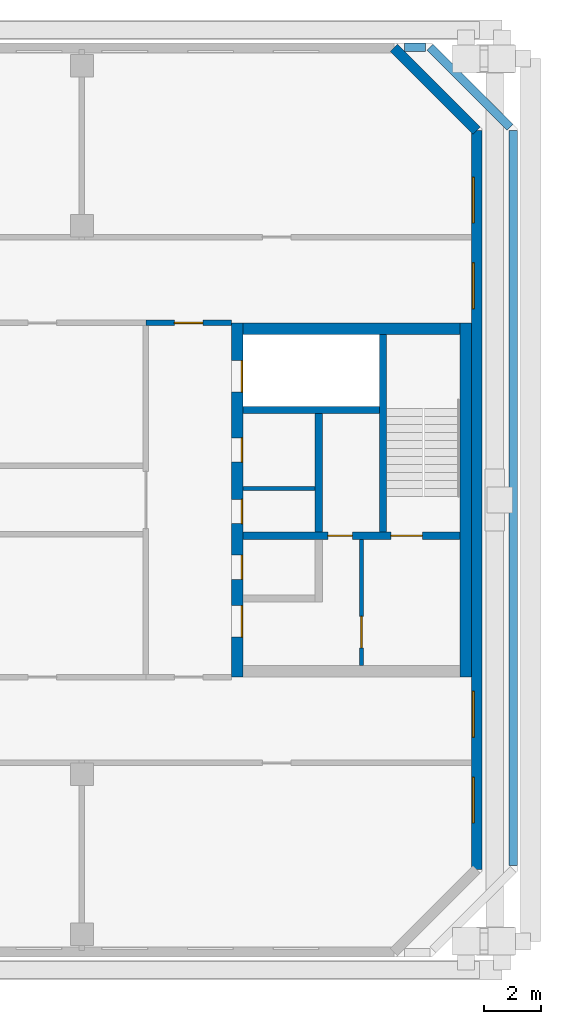
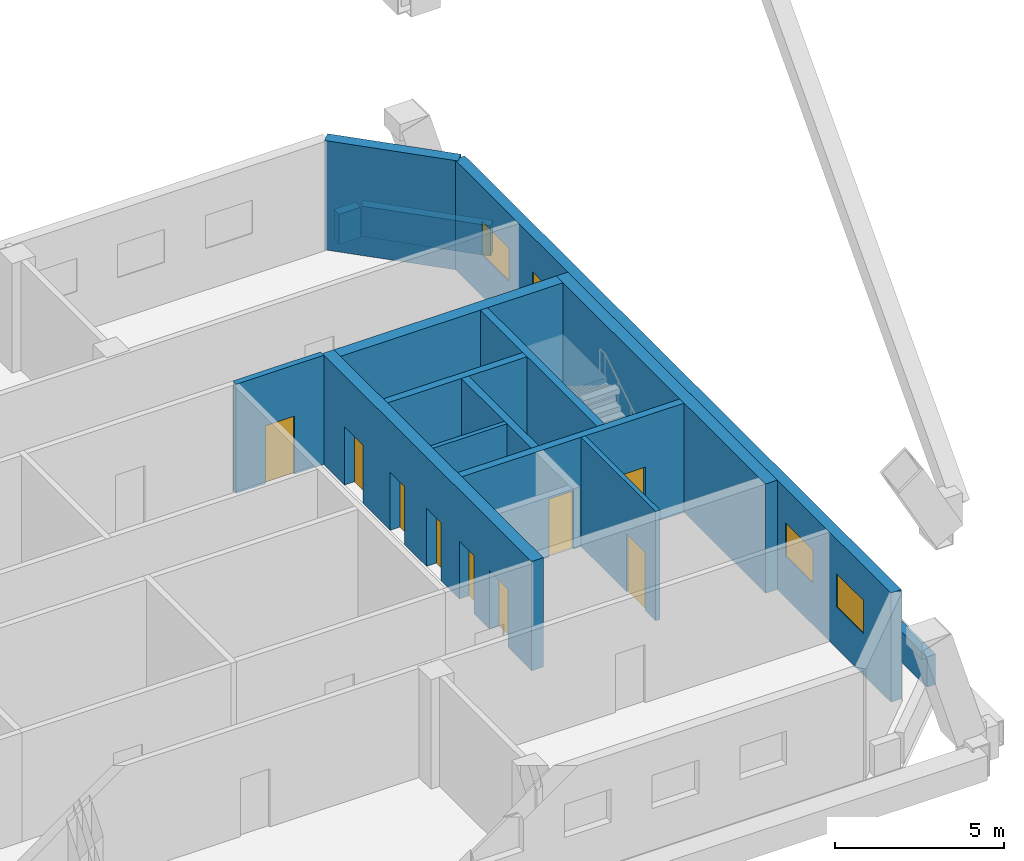
# One storey, part 13 of 17: 15 walls, 9 doors, 4 windows, 13 openings.
"""IFC4 building model written with IfcOpenShell, lengths in metres."""

from ifc_helpers import new_model, si_unit, direction, frame, frame_2d, origin, place, context, subcontext, project, spatial, rectangle, extrude, material, layer, layer_set, type_object, element, fill, save


model = new_model("IFC4")

# Units and contexts
model_context = context("Model", 3, precision=1e-05, world=origin(), true_north=direction((0.0, 1.0)))
body_context = subcontext(model_context, "Body", "Model", "MODEL_VIEW")
ifc_project = project(units=[si_unit("LENGTHUNIT", "METRE"), si_unit("AREAUNIT", "SQUARE_METRE"), si_unit("VOLUMEUNIT", "CUBIC_METRE"), si_unit("PLANEANGLEUNIT", "RADIAN"), si_unit("MASSUNIT", "GRAM", prefix="KILO")], contexts=[model_context])

# Site, building, storey
site_placement = place(None, origin())
site = spatial("IfcSite", under=ifc_project, at=site_placement, CompositionType="ELEMENT")
building_placement = place(site_placement, origin())
building = spatial("IfcBuilding", under=site, at=building_placement, Name="Tuart Gate Housing", CompositionType="ELEMENT")
storey_placement = place(building_placement, frame((0.0, 0.0, 194.39990234375)))
storey = spatial("IfcBuildingStorey", under=building, at=storey_placement, Name="L55", CompositionType="ELEMENT", Elevation=194.39990234375)

# Walls
ifc_material_1 = material(Name="Brick", Category="masonry")
ifc_layer_1 = layer(ifc_material_1, 0.300048828125)
ifc_layer_set_1 = layer_set([ifc_layer_1], Name="Brick parapet wall 300")
wall_type_1 = type_object("IfcWallType", Name="Brick parapet wall 300", PredefinedType="PARAPET", material=ifc_layer_set_1)
wall_1_placement = place(storey_placement, frame((170.10009765625, 57.214111328125, 0.0), z_axis=(0.0, 0.0, 1.0), x_axis=(0.0, 1.0, 0.0)))
element("IfcWall", 1, at=wall_1_placement, inside=storey, type_object=wall_type_1, Name="Roof parapet B 3", PredefinedType="PARAPET", context=body_context, shape_type="SweptSolid", body=[
    extrude(rectangle(XDim=25.723876953125, YDim=0.300048828125, at=frame_2d((12.86181640625, 0.0))), origin(), (0.0, 0.0, 1.0), 1.10009765625),
])
wall_2_placement = place(storey_placement, frame((169.992431640625, 83.04541015625, 0.0), z_axis=(0.0, 0.0, 1.0), x_axis=(-0.70707600329, 0.707137557743, 0.0)))
element("IfcWall", 2, at=wall_2_placement, inside=storey, type_object=wall_type_1, Name="Roof parapet B 4", PredefinedType="PARAPET", context=body_context, shape_type="SweptSolid", body=[
    extrude(rectangle(XDim=3.96630859375, YDim=0.300048828125, at=frame_2d((1.983154296875, 0.0))), origin(), (0.0, 0.0, 1.0), 1.10009765625),
])
wall_3_placement = place(storey_placement, frame((167.035888671875, 85.85009765625, 0.0), z_axis=(0.0, 0.0, 1.0), x_axis=(-1.0, 0.0, 0.0)))
element("IfcWall", 3, at=wall_3_placement, inside=storey, type_object=wall_type_1, Name="Roof parapet B 5", PredefinedType="PARAPET", context=body_context, shape_type="SweptSolid", body=[
    extrude(rectangle(XDim=0.73583984375, YDim=0.300048828125, at=frame_2d((0.367919921875, 0.0))), origin(), (0.0, 0.0, 1.0), 1.10009765625),
])

# Wall, openings, windows
ifc_material_2 = material(Name="Brick", Category="masonry")
ifc_layer_2 = layer(ifc_material_2, 0.360107421875)
ifc_layer_set_2 = layer_set([ifc_layer_2], Name="Brick pier and spandrel wall 360")
wall_type_2 = type_object("IfcWallType", Name="Brick pier and spandrel wall 360", PredefinedType="STANDARD", material=ifc_layer_set_2)
wall_4_placement = place(storey_placement, frame((168.820068359375, 57.07470703125, 0.0), z_axis=(0.0, 0.0, 1.0), x_axis=(0.0, 1.0, 0.0)))
wall_4 = element("IfcWall", 4, at=wall_4_placement, inside=storey, type_object=wall_type_2, Name="External wall BLK-E L55", PredefinedType="STANDARD", context=body_context, shape_type="SweptSolid", body=[
    extrude(rectangle(XDim=25.850830078125, YDim=0.360107421875, at=frame_2d((12.92529296875, 0.0))), origin(), (0.0, 0.0, 1.0), 3.9501953125),
])
opening_1_placement = place(wall_4_placement, frame((1.62548828125, 0.0, 1.5)))
opening_1 = element("IfcOpeningElement", 5, at=opening_1_placement, cuts=wall_4, Name="Opening W3", PredefinedType="OPENING", context=body_context, shape_type="SweptSolid", body=[
    extrude(rectangle(XDim=1.60009765625, YDim=1.199951171875, at=frame_2d((0.800048828125, 0.60009765625))), frame((0.0, 0.18994140625, 0.0), z_axis=(0.0, -1.0, 0.0), x_axis=(1.0, 0.0, 0.0)), (0.0, 0.0, 1.0), 0.380126953125),
])
opening_2_placement = place(wall_4_placement, frame((4.62548828125, 0.0, 1.5)))
opening_2 = element("IfcOpeningElement", 6, at=opening_2_placement, cuts=wall_4, Name="Opening W3", PredefinedType="OPENING", context=body_context, shape_type="SweptSolid", body=[
    extrude(rectangle(XDim=1.60009765625, YDim=1.199951171875, at=frame_2d((0.800048828125, 0.60009765625))), frame((0.0, 0.18994140625, 0.0), z_axis=(0.0, -1.0, 0.0), x_axis=(1.0, 0.0, 0.0)), (0.0, 0.0, 1.0), 0.380126953125),
])
opening_3_placement = place(wall_4_placement, frame((19.62548828125, 0.0, 1.5)))
opening_3 = element("IfcOpeningElement", 7, at=opening_3_placement, cuts=wall_4, Name="Opening W3", PredefinedType="OPENING", context=body_context, shape_type="SweptSolid", body=[
    extrude(rectangle(XDim=1.60009765625, YDim=1.199951171875, at=frame_2d((0.800048828125, 0.60009765625))), frame((0.0, 0.18994140625, 0.0), z_axis=(0.0, -1.0, 0.0), x_axis=(1.0, 0.0, 0.0)), (0.0, 0.0, 1.0), 0.380126953125),
])
opening_4_placement = place(wall_4_placement, frame((22.62548828125, 0.0, 1.5)))
opening_4 = element("IfcOpeningElement", 8, at=opening_4_placement, cuts=wall_4, Name="Opening W3", PredefinedType="OPENING", context=body_context, shape_type="SweptSolid", body=[
    extrude(rectangle(XDim=1.60009765625, YDim=1.199951171875, at=frame_2d((0.800048828125, 0.60009765625))), frame((0.0, 0.18994140625, 0.0), z_axis=(0.0, -1.0, 0.0), x_axis=(1.0, 0.0, 0.0)), (0.0, 0.0, 1.0), 0.380126953125),
])
ifc_material_3 = material(Name="Aluminium louvre blades", Category="aluminium")
window_type = type_object("IfcWindowType", Name="Louvre window 1600 x 1200", PartitioningType="DOUBLE_PANEL_HORIZONTAL", PredefinedType="WINDOW", material=ifc_material_3)
window_1_placement = place(opening_1_placement, origin())
window_1 = element("IfcWindow", 9, at=window_1_placement, inside=storey, type_object=window_type, Name="Louvre W3", OverallHeight=1.199951171875, OverallWidth=1.60009765625, PartitioningType="DOUBLE_PANEL_HORIZONTAL", PredefinedType="WINDOW", context=body_context, shape_type="SweptSolid", body=[
    extrude(rectangle(XDim=1.60009765625, YDim=1.199951171875, at=frame_2d((0.800048828125, 0.60009765625))), frame((0.0, 0.150146484375, 0.0), z_axis=(0.0, -1.0, 0.0), x_axis=(1.0, 0.0, 0.0)), (0.0, 0.0, 1.0), 0.06005859375),
])
fill(opening_1, window_1)
window_2_placement = place(opening_2_placement, origin())
window_2 = element("IfcWindow", 10, at=window_2_placement, inside=storey, type_object=window_type, Name="Louvre W3", OverallHeight=1.199951171875, OverallWidth=1.60009765625, PartitioningType="DOUBLE_PANEL_HORIZONTAL", PredefinedType="WINDOW", context=body_context, shape_type="SweptSolid", body=[
    extrude(rectangle(XDim=1.60009765625, YDim=1.199951171875, at=frame_2d((0.800048828125, 0.60009765625))), frame((0.0, 0.150146484375, 0.0), z_axis=(0.0, -1.0, 0.0), x_axis=(1.0, 0.0, 0.0)), (0.0, 0.0, 1.0), 0.06005859375),
])
fill(opening_2, window_2)
window_3_placement = place(opening_3_placement, origin())
window_3 = element("IfcWindow", 11, at=window_3_placement, inside=storey, type_object=window_type, Name="Louvre W3", OverallHeight=1.199951171875, OverallWidth=1.60009765625, PartitioningType="DOUBLE_PANEL_HORIZONTAL", PredefinedType="WINDOW", context=body_context, shape_type="SweptSolid", body=[
    extrude(rectangle(XDim=1.60009765625, YDim=1.199951171875, at=frame_2d((0.800048828125, 0.60009765625))), frame((0.0, 0.150146484375, 0.0), z_axis=(0.0, -1.0, 0.0), x_axis=(1.0, 0.0, 0.0)), (0.0, 0.0, 1.0), 0.06005859375),
])
fill(opening_3, window_3)
window_4_placement = place(opening_4_placement, origin())
window_4 = element("IfcWindow", 12, at=window_4_placement, inside=storey, type_object=window_type, Name="Louvre W3", OverallHeight=1.199951171875, OverallWidth=1.60009765625, PartitioningType="DOUBLE_PANEL_HORIZONTAL", PredefinedType="WINDOW", context=body_context, shape_type="SweptSolid", body=[
    extrude(rectangle(XDim=1.60009765625, YDim=1.199951171875, at=frame_2d((0.800048828125, 0.60009765625))), frame((0.0, 0.150146484375, 0.0), z_axis=(0.0, -1.0, 0.0), x_axis=(1.0, 0.0, 0.0)), (0.0, 0.0, 1.0), 0.06005859375),
])
fill(opening_4, window_4)

# Walls
wall_5_placement = place(storey_placement, frame((168.820068359375, 82.92529296875, 0.0), z_axis=(0.0, 0.0, 1.0), x_axis=(-0.707106781187, 0.707106781187, 0.0)))
element("IfcWall", 13, at=wall_5_placement, inside=storey, type_object=wall_type_2, Name="External wall BLK-NE L55", PredefinedType="STANDARD", context=body_context, shape_type="SweptSolid", body=[
    extrude(rectangle(XDim=4.09375, YDim=0.360107421875, at=frame_2d((2.046875, 0.0))), origin(), (0.0, 0.0, 1.0), 3.9501953125),
])
ifc_material_4 = material(Name="Plasterboard partition")
ifc_layer_3 = layer(ifc_material_4, 0.14990234375)
ifc_layer_set_3 = layer_set([ifc_layer_3], Name="Core partition 150")
wall_type_3 = type_object("IfcWallType", Name="Core partition 150", PredefinedType="PARTITIONING", material=ifc_layer_set_3)
wall_6_placement = place(storey_placement, frame((160.639892578125, 70.39990234375, 0.0), z_axis=(0.0, 0.0, 1.0), x_axis=(1.0, 0.0, 0.0)))
element("IfcWall", 14, at=wall_6_placement, inside=storey, type_object=wall_type_3, Name="Core partition BK.2", PredefinedType="PARTITIONING", context=body_context, shape_type="SweptSolid", body=[
    extrude(rectangle(XDim=2.525146484375, YDim=0.14990234375, at=frame_2d((1.2626953125, 0.0))), origin(), (0.0, 0.0, 1.0), 3.9501953125),
])

# Wall, opening, door
wall_7_placement = place(storey_placement, frame((164.7900390625, 68.625, 0.0), z_axis=(0.0, 0.0, 1.0), x_axis=(0.0, -1.0, 0.0)))
wall_7 = element("IfcWall", 15, at=wall_7_placement, inside=storey, type_object=wall_type_3, Name="Core partition BK.7", PredefinedType="PARTITIONING", context=body_context, shape_type="SweptSolid", body=[
    extrude(rectangle(XDim=4.425048828125, YDim=0.14990234375, at=frame_2d((2.21240234375, 0.0))), origin(), (0.0, 0.0, 1.0), 3.9501953125),
])
opening_5_placement = place(wall_7_placement, frame((2.699951171875, 0.0, 0.0)))
opening_5 = element("IfcOpeningElement", 16, at=opening_5_placement, cuts=wall_7, Name="Opening D3561", PredefinedType="OPENING", context=body_context, shape_type="SweptSolid", body=[
    extrude(rectangle(XDim=1.10009765625, YDim=2.10009765625, at=frame_2d((0.550048828125, 1.050048828125))), frame((0.0, 0.0849609375, 0.0), z_axis=(0.0, -1.0, 0.0), x_axis=(1.0, 0.0, 0.0)), (0.0, 0.0, 1.0), 0.169921875),
])
ifc_material_5 = material(Name="Steel fire door", Category="steel")
door_type_1 = type_object("IfcDoorType", Name="Lobby door 1100 x 2100 RH", OperationType="SINGLE_SWING_RIGHT", PredefinedType="DOOR", material=ifc_material_5)
door_1_placement = place(opening_5_placement, origin())
door_1 = element("IfcDoor", 17, at=door_1_placement, inside=storey, type_object=door_type_1, Name="Smoke lobby door BK.KD", OperationType="SINGLE_SWING_RIGHT", OverallHeight=2.10009765625, OverallWidth=1.10009765625, PredefinedType="DOOR", context=body_context, shape_type="SweptSolid", body=[
    extrude(rectangle(XDim=1.10009765625, YDim=2.10009765625, at=frame_2d((0.550048828125, 1.050048828125))), frame((0.0, 0.02490234375, 0.0), z_axis=(0.0, -1.0, 0.0), x_axis=(1.0, 0.0, 0.0)), (0.0, 0.0, 1.0), 0.050048828125),
])
fill(opening_5, door_1)

# Wall
ifc_material_6 = material(Name="Concrete C40", Category="concrete")
ifc_layer_4 = layer(ifc_material_6, 0.25)
ifc_layer_set_4 = layer_set([ifc_layer_4], Name="Core wall 250 C40")
wall_type_4 = type_object("IfcWallType", Name="Core wall 250 C40", PredefinedType="SHEAR", material=ifc_layer_set_4)
wall_8_placement = place(storey_placement, frame((160.639892578125, 73.14990234375, 0.0), z_axis=(0.0, 0.0, 1.0), x_axis=(1.0, 0.0, 0.0)))
element("IfcWall", 18, at=wall_8_placement, inside=storey, type_object=wall_type_4, Name="Core wall BK.1", PredefinedType="SHEAR", context=body_context, shape_type="SweptSolid", body=[
    extrude(rectangle(XDim=4.775146484375, YDim=0.25, at=frame_2d((2.3876953125, 0.0))), origin(), (0.0, 0.0, 1.0), 3.9501953125),
])

# Wall, openings, doors
wall_9_placement = place(storey_placement, frame((160.639892578125, 68.75, 0.0), z_axis=(0.0, 0.0, 1.0), x_axis=(1.0, 0.0, 0.0)))
wall_9 = element("IfcWall", 19, at=wall_9_placement, inside=storey, type_object=wall_type_4, Name="Core wall BK.3", PredefinedType="SHEAR", context=body_context, shape_type="SweptSolid", body=[
    extrude(rectangle(XDim=7.60009765625, YDim=0.25, at=frame_2d((3.800048828125, 0.0))), origin(), (0.0, 0.0, 1.0), 3.9501953125),
])
opening_6_placement = place(wall_9_placement, frame((5.175048828125, 0.0, 0.0)))
opening_6 = element("IfcOpeningElement", 20, at=opening_6_placement, cuts=wall_9, Name="Opening D3560", PredefinedType="OPENING", context=body_context, shape_type="SweptSolid", body=[
    extrude(rectangle(XDim=1.10009765625, YDim=2.10009765625, at=frame_2d((0.550048828125, 1.050048828125))), frame((0.0, 0.135009765625, 0.0), z_axis=(0.0, -1.0, 0.0), x_axis=(1.0, 0.0, 0.0)), (0.0, 0.0, 1.0), 0.27001953125),
])
opening_7_placement = place(wall_9_placement, frame((2.97509765625, 0.0, 0.0)))
opening_7 = element("IfcOpeningElement", 21, at=opening_7_placement, cuts=wall_9, Name="Opening D3559", PredefinedType="OPENING", context=body_context, shape_type="SweptSolid", body=[
    extrude(rectangle(XDim=0.85009765625, YDim=2.10009765625, at=frame_2d((0.425048828125, 1.050048828125))), frame((0.0, 0.135009765625, 0.0), z_axis=(0.0, -1.0, 0.0), x_axis=(1.0, 0.0, 0.0)), (0.0, 0.0, 1.0), 0.27001953125),
])
ifc_material_7 = material(Name="Steel fire door", Category="steel")
door_type_2 = type_object("IfcDoorType", Name="Riser door 850 x 2100", OperationType="SINGLE_SWING_LEFT", PredefinedType="DOOR", material=ifc_material_7)
door_2_placement = place(opening_7_placement, origin())
door_2 = element("IfcDoor", 22, at=door_2_placement, inside=storey, type_object=door_type_2, Name="Service room door BK.W1", OperationType="SINGLE_SWING_LEFT", OverallHeight=2.10009765625, OverallWidth=0.85009765625, PredefinedType="DOOR", context=body_context, shape_type="SweptSolid", body=[
    extrude(rectangle(XDim=0.85009765625, YDim=2.10009765625, at=frame_2d((0.425048828125, 1.050048828125))), frame((0.0, 0.02490234375, 0.0), z_axis=(0.0, -1.0, 0.0), x_axis=(1.0, 0.0, 0.0)), (0.0, 0.0, 1.0), 0.050048828125),
])
fill(opening_7, door_2)
ifc_material_8 = material(Name="Steel fire door", Category="steel")
door_type_3 = type_object("IfcDoorType", Name="Stair door 1100 x 2100", OperationType="SINGLE_SWING_LEFT", PredefinedType="DOOR", material=ifc_material_8)
door_3_placement = place(opening_6_placement, origin())
door_3 = element("IfcDoor", 23, at=door_3_placement, inside=storey, type_object=door_type_3, Name="Stair door BK.SD", OperationType="SINGLE_SWING_LEFT", OverallHeight=2.10009765625, OverallWidth=1.10009765625, PredefinedType="DOOR", context=body_context, shape_type="SweptSolid", body=[
    extrude(rectangle(XDim=1.10009765625, YDim=2.10009765625, at=frame_2d((0.550048828125, 1.050048828125))), frame((0.0, 0.02490234375, 0.0), z_axis=(0.0, -1.0, 0.0), x_axis=(1.0, 0.0, 0.0)), (0.0, 0.0, 1.0), 0.050048828125),
])
fill(opening_6, door_3)

# Walls
wall_10_placement = place(storey_placement, frame((163.2900390625, 73.02490234375, 0.0), z_axis=(0.0, 0.0, 1.0), x_axis=(0.0, -1.0, 0.0)))
element("IfcWall", 24, at=wall_10_placement, inside=storey, type_object=wall_type_4, Name="Core wall BK.5", PredefinedType="SHEAR", context=body_context, shape_type="SweptSolid", body=[
    extrude(rectangle(XDim=4.14990234375, YDim=0.25, at=frame_2d((2.074951171875, 0.0))), origin(), (0.0, 0.0, 1.0), 3.9501953125),
])
wall_11_placement = place(storey_placement, frame((165.5400390625, 75.800048828125, 0.0), z_axis=(0.0, 0.0, 1.0), x_axis=(0.0, -1.0, 0.0)))
element("IfcWall", 25, at=wall_11_placement, inside=storey, type_object=wall_type_4, Name="Core wall BK.8", PredefinedType="SHEAR", context=body_context, shape_type="SweptSolid", body=[
    extrude(rectangle(XDim=6.925048828125, YDim=0.25, at=frame_2d((3.46240234375, 0.0))), origin(), (0.0, 0.0, 1.0), 3.9501953125),
])

# Wall, openings, doors
ifc_material_9 = material(Name="Concrete C40", Category="concrete")
ifc_layer_5 = layer(ifc_material_9, 0.39990234375)
ifc_layer_set_5 = layer_set([ifc_layer_5], Name="Core wall 400 C40")
wall_type_5 = type_object("IfcWallType", Name="Core wall 400 C40", PredefinedType="SHEAR", material=ifc_layer_set_5)
wall_12_placement = place(storey_placement, frame((160.43994140625, 76.199951171875, 0.0), z_axis=(0.0, 0.0, 1.0), x_axis=(0.0, -1.0, 0.0)))
wall_12 = element("IfcWall", 26, at=wall_12_placement, inside=storey, type_object=wall_type_5, Name="Core wall BK front", PredefinedType="SHEAR", context=body_context, shape_type="SweptSolid", body=[
    extrude(rectangle(XDim=12.39990234375, YDim=0.39990234375, at=frame_2d((6.199951171875, 0.0))), origin(), (0.0, 0.0, 1.0), 3.9501953125),
])
opening_8_placement = place(wall_12_placement, frame((1.324951171875, 0.0, 0.0)))
opening_8 = element("IfcOpeningElement", 27, at=opening_8_placement, cuts=wall_12, Name="Opening LD-FB2", PredefinedType="OPENING", context=body_context, shape_type="SweptSolid", body=[
    extrude(rectangle(XDim=1.10009765625, YDim=2.10009765625, at=frame_2d((0.550048828125, 1.050048828125))), frame((0.0, 0.2099609375, 0.0), z_axis=(0.0, -1.0, 0.0), x_axis=(1.0, 0.0, 0.0)), (0.0, 0.0, 1.0), 0.419921875),
])
opening_9_placement = place(wall_12_placement, frame((4.02490234375, 0.0, 0.0)))
opening_9 = element("IfcOpeningElement", 28, at=opening_9_placement, cuts=wall_12, Name="Opening D3556", PredefinedType="OPENING", context=body_context, shape_type="SweptSolid", body=[
    extrude(rectangle(XDim=0.85009765625, YDim=2.10009765625, at=frame_2d((0.425048828125, 1.050048828125))), frame((0.0, 0.2099609375, 0.0), z_axis=(0.0, -1.0, 0.0), x_axis=(1.0, 0.0, 0.0)), (0.0, 0.0, 1.0), 0.419921875),
])
opening_10_placement = place(wall_12_placement, frame((6.175048828125, 0.0, 0.0)))
opening_10 = element("IfcOpeningElement", 29, at=opening_10_placement, cuts=wall_12, Name="Opening D3557", PredefinedType="OPENING", context=body_context, shape_type="SweptSolid", body=[
    extrude(rectangle(XDim=0.85009765625, YDim=2.10009765625, at=frame_2d((0.425048828125, 1.050048828125))), frame((0.0, 0.2099609375, 0.0), z_axis=(0.0, -1.0, 0.0), x_axis=(1.0, 0.0, 0.0)), (0.0, 0.0, 1.0), 0.419921875),
])
opening_11_placement = place(wall_12_placement, frame((9.89990234375, 0.0, 0.0)))
opening_11 = element("IfcOpeningElement", 30, at=opening_11_placement, cuts=wall_12, Name="Opening D3555", PredefinedType="OPENING", context=body_context, shape_type="SweptSolid", body=[
    extrude(rectangle(XDim=1.10009765625, YDim=2.10009765625, at=frame_2d((0.550048828125, 1.050048828125))), frame((0.0, 0.2099609375, 0.0), z_axis=(0.0, -1.0, 0.0), x_axis=(1.0, 0.0, 0.0)), (0.0, 0.0, 1.0), 0.419921875),
])
opening_12_placement = place(wall_12_placement, frame((8.125, 0.0, 0.0)))
opening_12 = element("IfcOpeningElement", 31, at=opening_12_placement, cuts=wall_12, Name="Opening D3558", PredefinedType="OPENING", context=body_context, shape_type="SweptSolid", body=[
    extrude(rectangle(XDim=0.85009765625, YDim=2.10009765625, at=frame_2d((0.425048828125, 1.050048828125))), frame((0.0, 0.2099609375, 0.0), z_axis=(0.0, -1.0, 0.0), x_axis=(1.0, 0.0, 0.0)), (0.0, 0.0, 1.0), 0.419921875),
])
ifc_material_10 = material(Name="Stainless steel", Category="steel")
door_type_4 = type_object("IfcDoorType", Name="Landing door 1100 x 2100", OperationType="DOUBLE_DOOR_SLIDING", PredefinedType="DOOR", material=ifc_material_10)
door_4_placement = place(opening_8_placement, origin())
door_4 = element("IfcDoor", 32, at=door_4_placement, inside=storey, type_object=door_type_4, Name="Lift landing door FB2", OperationType="DOUBLE_DOOR_SLIDING", OverallHeight=2.10009765625, OverallWidth=1.10009765625, PredefinedType="DOOR", context=body_context, shape_type="SweptSolid", body=[
    extrude(rectangle(XDim=1.10009765625, YDim=2.10009765625, at=frame_2d((0.550048828125, 1.050048828125))), frame((0.0, 0.18505859375, 0.0), z_axis=(0.0, -1.0, 0.0), x_axis=(1.0, 0.0, 0.0)), (0.0, 0.0, 1.0), 0.050048828125),
])
fill(opening_8, door_4)
ifc_material_11 = material(Name="Steel fire door", Category="steel")
door_type_5 = type_object("IfcDoorType", Name="Lobby door 1100 x 2100", OperationType="SINGLE_SWING_LEFT", PredefinedType="DOOR", material=ifc_material_11)
door_5_placement = place(opening_11_placement, origin())
door_5 = element("IfcDoor", 33, at=door_5_placement, inside=storey, type_object=door_type_5, Name="Lobby entry door BK.EN", OperationType="SINGLE_SWING_LEFT", OverallHeight=2.10009765625, OverallWidth=1.10009765625, PredefinedType="DOOR", context=body_context, shape_type="SweptSolid", body=[
    extrude(rectangle(XDim=1.10009765625, YDim=2.10009765625, at=frame_2d((0.550048828125, 1.050048828125))), frame((0.0, 0.18505859375, 0.0), z_axis=(0.0, -1.0, 0.0), x_axis=(1.0, 0.0, 0.0)), (0.0, 0.0, 1.0), 0.050048828125),
])
fill(opening_11, door_5)
ifc_material_12 = material(Name="Steel fire door", Category="steel")
door_type_6 = type_object("IfcDoorType", Name="Service door 850 x 2100", OperationType="SINGLE_SWING_LEFT", PredefinedType="DOOR", material=ifc_material_12)
door_6_placement = place(opening_9_placement, origin())
door_6 = element("IfcDoor", 34, at=door_6_placement, inside=storey, type_object=door_type_6, Name="Service room door BK.FR1", OperationType="SINGLE_SWING_LEFT", OverallHeight=2.10009765625, OverallWidth=0.85009765625, PredefinedType="DOOR", context=body_context, shape_type="SweptSolid", body=[
    extrude(rectangle(XDim=0.85009765625, YDim=2.10009765625, at=frame_2d((0.425048828125, 1.050048828125))), frame((0.0, 0.18505859375, 0.0), z_axis=(0.0, -1.0, 0.0), x_axis=(1.0, 0.0, 0.0)), (0.0, 0.0, 1.0), 0.050048828125),
])
fill(opening_9, door_6)
door_7_placement = place(opening_10_placement, origin())
door_7 = element("IfcDoor", 35, at=door_7_placement, inside=storey, type_object=door_type_6, Name="Service room door BK.FR2", OperationType="SINGLE_SWING_LEFT", OverallHeight=2.10009765625, OverallWidth=0.85009765625, PredefinedType="DOOR", context=body_context, shape_type="SweptSolid", body=[
    extrude(rectangle(XDim=0.85009765625, YDim=2.10009765625, at=frame_2d((0.425048828125, 1.050048828125))), frame((0.0, 0.18505859375, 0.0), z_axis=(0.0, -1.0, 0.0), x_axis=(1.0, 0.0, 0.0)), (0.0, 0.0, 1.0), 0.050048828125),
])
fill(opening_10, door_7)
door_8_placement = place(opening_12_placement, origin())
door_8 = element("IfcDoor", 36, at=door_8_placement, inside=storey, type_object=door_type_6, Name="Service room door BK.T1", OperationType="SINGLE_SWING_LEFT", OverallHeight=2.10009765625, OverallWidth=0.85009765625, PredefinedType="DOOR", context=body_context, shape_type="SweptSolid", body=[
    extrude(rectangle(XDim=0.85009765625, YDim=2.10009765625, at=frame_2d((0.425048828125, 1.050048828125))), frame((0.0, 0.18505859375, 0.0), z_axis=(0.0, -1.0, 0.0), x_axis=(1.0, 0.0, 0.0)), (0.0, 0.0, 1.0), 0.050048828125),
])
fill(opening_12, door_8)

# Walls
wall_13_placement = place(storey_placement, frame((168.43994140625, 76.199951171875, 0.0), z_axis=(0.0, 0.0, 1.0), x_axis=(0.0, -1.0, 0.0)))
element("IfcWall", 37, at=wall_13_placement, inside=storey, type_object=wall_type_5, Name="Core wall BK back", PredefinedType="SHEAR", context=body_context, shape_type="SweptSolid", body=[
    extrude(rectangle(XDim=12.39990234375, YDim=0.39990234375, at=frame_2d((6.199951171875, 0.0))), origin(), (0.0, 0.0, 1.0), 3.9501953125),
])
wall_14_placement = place(storey_placement, frame((160.639892578125, 76.0, 0.0), z_axis=(0.0, 0.0, 1.0), x_axis=(1.0, 0.0, 0.0)))
element("IfcWall", 38, at=wall_14_placement, inside=storey, type_object=wall_type_5, Name="Core wall BK south", PredefinedType="SHEAR", context=body_context, shape_type="SweptSolid", body=[
    extrude(rectangle(XDim=7.60009765625, YDim=0.39990234375, at=frame_2d((3.800048828125, 0.0))), origin(), (0.0, 0.0, 1.0), 3.9501953125),
])

# Wall, opening, door
ifc_material_13 = material(Name="Concrete masonry 15 MPa", Category="masonry")
ifc_layer_6 = layer(ifc_material_13, 0.199951171875)
ifc_layer_set_6 = layer_set([ifc_layer_6], Name="Enclosure wall masonry 200")
wall_type_6 = type_object("IfcWallType", Name="Enclosure wall masonry 200", PredefinedType="PARTITIONING", material=ifc_layer_set_6)
wall_15_placement = place(storey_placement, frame((157.239990234375, 76.199951171875, 0.0), z_axis=(0.0, 0.0, 1.0), x_axis=(1.0, 0.0, 0.0)))
wall_15 = element("IfcWall", 39, at=wall_15_placement, inside=storey, type_object=wall_type_6, Name="Enclosure wall masonry 200", PredefinedType="PARTITIONING", context=body_context, shape_type="SweptSolid", body=[
    extrude(rectangle(XDim=3.0, YDim=0.199951171875, at=frame_2d((1.5, 0.0))), origin(), (0.0, 0.0, 1.0), 3.9501953125),
])
opening_13_placement = place(wall_15_placement, frame((1.0, 0.0, 0.0)))
opening_13 = element("IfcOpeningElement", 40, at=opening_13_placement, cuts=wall_15, Name="Opening D3547", PredefinedType="OPENING", context=body_context, shape_type="SweptSolid", body=[
    extrude(rectangle(XDim=1.0, YDim=2.10009765625, at=frame_2d((0.5, 1.050048828125))), frame((0.0, 0.10986328125, 0.0), z_axis=(0.0, -1.0, 0.0), x_axis=(1.0, 0.0, 0.0)), (0.0, 0.0, 1.0), 0.219970703125),
])
ifc_material_14 = material(Name="Timber door leaf in steel frame", Category="steel")
door_type_7 = type_object("IfcDoorType", Name="Lobby door 1000 RH", OperationType="SINGLE_SWING_RIGHT", PredefinedType="DOOR", material=ifc_material_14)
door_9_placement = place(opening_13_placement, frame((1.0, 0.0, 0.0), z_axis=(0.0, 0.0, 1.0), x_axis=(-1.0, 0.0, 0.0)))
door_9 = element("IfcDoor", 41, at=door_9_placement, inside=storey, type_object=door_type_7, Name="Lobby door 1000", OperationType="SINGLE_SWING_RIGHT", OverallHeight=2.10009765625, OverallWidth=1.0, PredefinedType="DOOR", context=body_context, shape_type="SweptSolid", body=[
    extrude(rectangle(XDim=1.0, YDim=2.10009765625, at=frame_2d((0.5, 1.050048828125))), frame((0.0, 0.025146484375, 0.0), z_axis=(0.0, -1.0, 0.0), x_axis=(1.0, 0.0, 0.0)), (0.0, 0.0, 1.0), 0.050048828125),
])
fill(opening_13, door_9)

save(model, "model.ifc")
